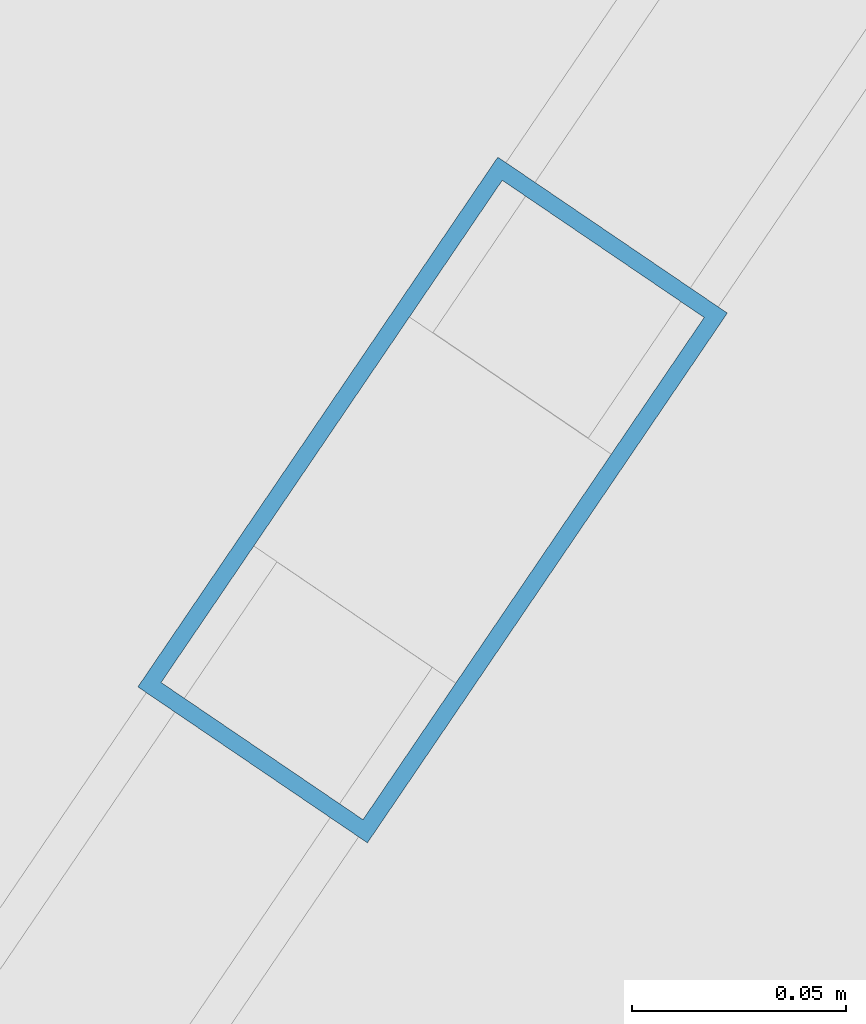
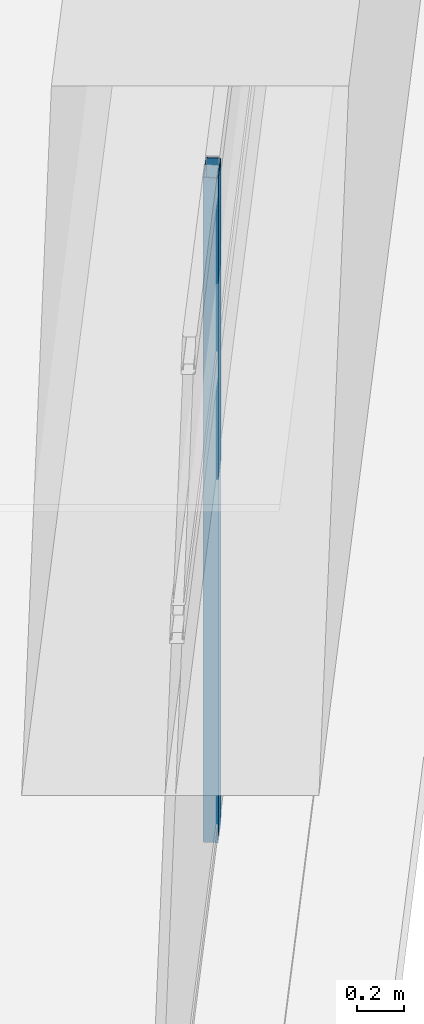
# One storey, part 8 of 39: 1 member, 1 element without a shape of its own.
"""IFC4 building model written with IfcOpenShell, lengths in metres."""

from ifc_helpers import new_model, si_unit, direction, frame, origin, origin_2d, place, context, subcontext, project, spatial, hollow_rectangle, extrude, source, transform, mapped, material, layer, layer_set, material_profile, profile_set, type_object, element, aggregate, save


model = new_model("IFC4")

# Units and contexts
model_context = context("Model", 3, precision=1e-05, world=origin(), true_north=direction((0.0, 1.0)))
body_context = subcontext(model_context, "Body", "Model", "MODEL_VIEW")
ifc_project = project(units=[si_unit("LENGTHUNIT", "METRE"), si_unit("AREAUNIT", "SQUARE_METRE"), si_unit("VOLUMEUNIT", "CUBIC_METRE"), si_unit("PLANEANGLEUNIT", "RADIAN"), si_unit("MASSUNIT", "GRAM", prefix="KILO")], contexts=[model_context])

# Site, building, storey
site_placement = place(None, origin())
site = spatial("IfcSite", under=ifc_project, at=site_placement, CompositionType="ELEMENT")
building_placement = place(site_placement, origin())
building = spatial("IfcBuilding", under=site, at=building_placement, Name="Liaohun Quay Tower", CompositionType="ELEMENT")
storey_placement = place(building_placement, frame((0.0, 0.0, 189.75)))
storey = spatial("IfcBuildingStorey", under=building, at=storey_placement, Name="L49", CompositionType="ELEMENT", Elevation=189.75)

# Curtain wall, member
ifc_material_1 = material(Name="Mid-height zone-break sky-lobby curtain wall")
ifc_layer = layer(ifc_material_1, 0.199951171875, Name="Mid-height zone-break sky-lobby curtain wall")
ifc_layer_set = layer_set([ifc_layer], Name="Mid-height zone-break sky-lobby curtain wall")
curtain_wall_type = type_object("IfcCurtainWallType", Name="CW-SKY-L49", PredefinedType="NOTDEFINED", material=ifc_layer_set)
curtain_wall_placement = place(storey_placement, origin())
curtain_wall = element("IfcCurtainWall", 1, at=curtain_wall_placement, inside=storey, type_object=curtain_wall_type, Name="L49 Panoramic Belvedere Curtain Wall 01", PredefinedType="NOTDEFINED")
ifc_material_2 = material(Name="Anodised aluminium 6063-T6", Category="aluminium")
ifc_material_profile = material_profile(ifc_material_2, hollow_rectangle(XDim=0.06494140625, YDim=0.14990234375, WallThickness=0.00390625, at=origin_2d()), Name="RHS150x65x4")
ifc_profile_set = profile_set([ifc_material_profile], Name="Anodised aluminium 6063-T6")
member_type = type_object("IfcMemberType", Name="MEM-CWM-SKY", PredefinedType="MULLION", material=ifc_profile_set)
shared_shape = source(origin(), body_context, "Body", "SweptSolid", [
    extrude(hollow_rectangle(XDim=0.06494140625, YDim=0.14990234375, WallThickness=0.00390625, at=origin_2d()), origin(), (0.0, 0.0, 1.0), 3.419921875),
])
member_placement = place(storey_placement, frame((72.881591796875, 28.5849609375, 0.0), z_axis=(0.0, 0.0, 1.0), x_axis=(-0.827138581932, 0.561998012701, 0.0)))
member = element("IfcMember", 2, at=member_placement, type_object=member_type, Name="CW4 mullion 2", PredefinedType="MULLION", context=body_context, shape_type="MappedRepresentation", body=[
    mapped(shared_shape, transform((0.0, 0.0, 0.0), x_axis=(1.0, 0.0, 0.0), y_axis=(0.0, 1.0, 0.0), z_axis=(0.0, 0.0, 1.0), scale=1.0)),
])
aggregate(curtain_wall, [member])

save(model, "model.ifc")
